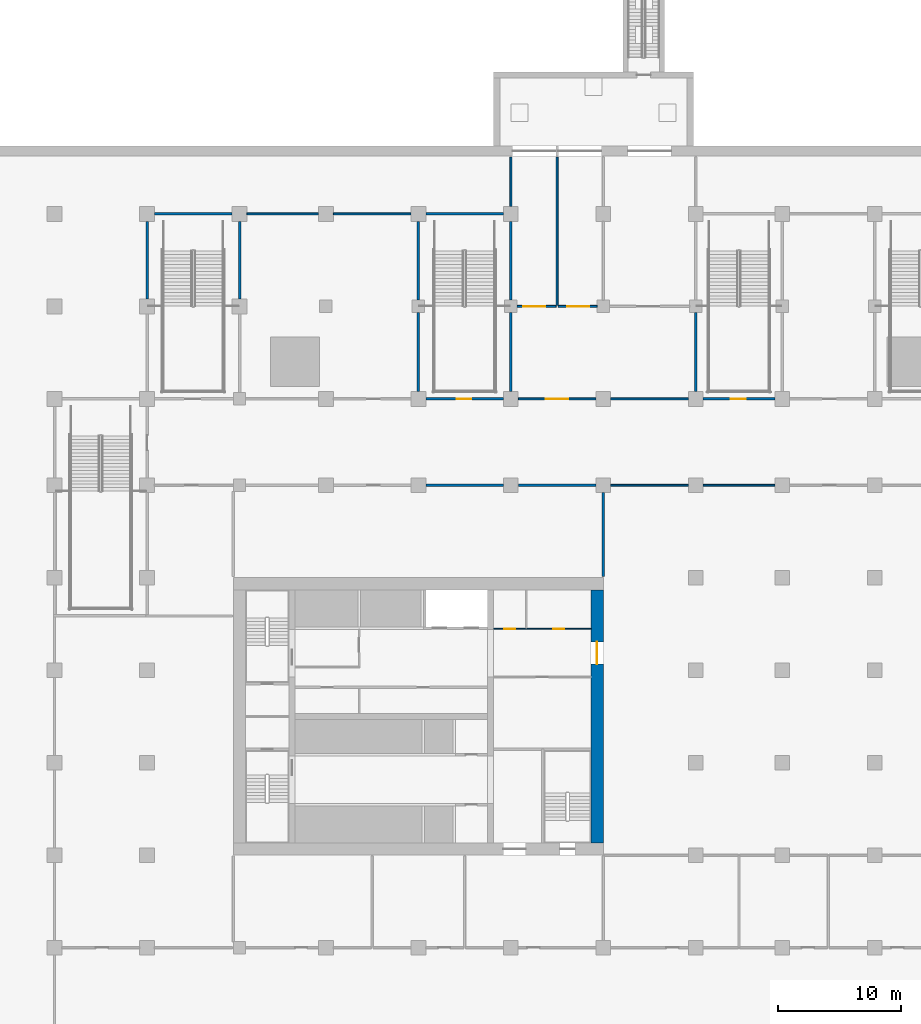
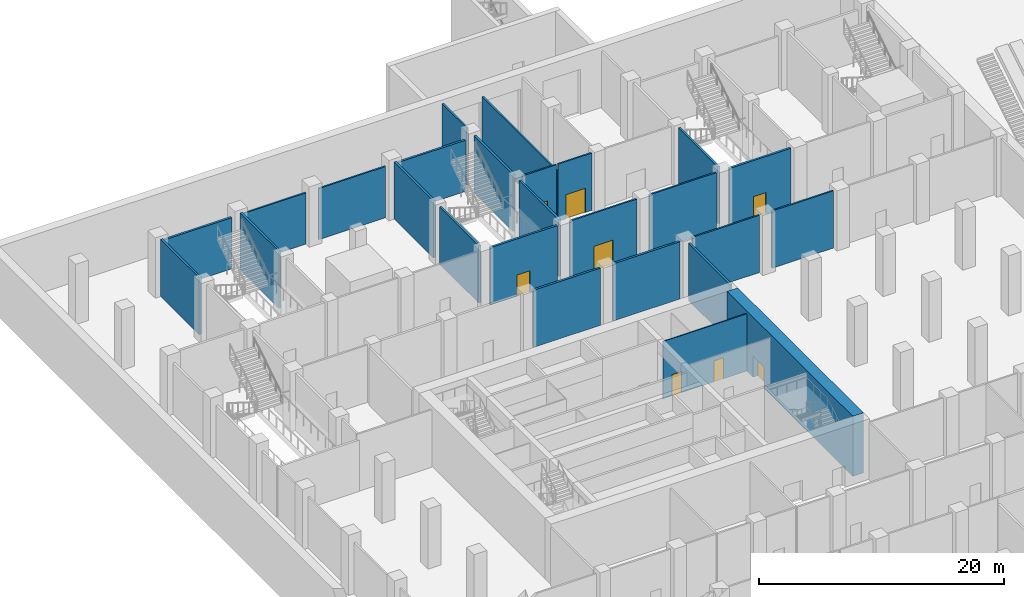
# One storey, part 10 of 45: 26 walls, 8 doors, 8 openings.
"""IFC4 building model written with IfcOpenShell, lengths in metres."""

from ifc_helpers import new_model, si_unit, direction, frame, frame_2d, origin, place, context, subcontext, project, spatial, rectangle, extrude, material, layer, layer_set, type_object, element, fill, save


model = new_model("IFC4")

# Units and contexts
model_context = context("Model", 3, precision=1e-05, world=origin(), true_north=direction((0.0, 1.0)))
body_context = subcontext(model_context, "Body", "Model", "MODEL_VIEW")
ifc_project = project(units=[si_unit("LENGTHUNIT", "METRE"), si_unit("AREAUNIT", "SQUARE_METRE"), si_unit("VOLUMEUNIT", "CUBIC_METRE"), si_unit("PLANEANGLEUNIT", "RADIAN"), si_unit("MASSUNIT", "GRAM", prefix="KILO")], contexts=[model_context])

# Site, building, storey
site_placement = place(None, origin())
site = spatial("IfcSite", under=ifc_project, at=site_placement, CompositionType="ELEMENT")
building_placement = place(site_placement, origin())
building = spatial("IfcBuilding", under=site, at=building_placement, Name="Tamorin Gate", CompositionType="ELEMENT")
storey_placement = place(building_placement, frame((0.0, 0.0, -6.0)))
storey = spatial("IfcBuildingStorey", under=building, at=storey_placement, Name="B1", CompositionType="ELEMENT", Elevation=-6.0)

# Walls
ifc_material_1 = material(Name="Concrete masonry C20/25", Category="masonry")
ifc_layer_1 = layer(ifc_material_1, 0.14990234375)
ifc_layer_set_1 = layer_set([ifc_layer_1], Name="Partition 150")
wall_type_1 = type_object("IfcWallType", Name="Partition 150", PredefinedType="PARTITIONING", material=ifc_layer_set_1)
wall_1_placement = place(storey_placement, frame((60.60009765625, 90.0, 0.0), z_axis=(0.0, 0.0, 1.0), x_axis=(1.0, 0.0, 0.0)))
element("IfcWall", 1, at=wall_1_placement, inside=storey, type_object=wall_type_1, Name="Partition 150 B1", PredefinedType="PARTITIONING", context=body_context, shape_type="SweptSolid", body=[
    extrude(rectangle(XDim=6.2998046875, YDim=0.14990234375, at=frame_2d((3.14990234375, 0.0))), origin(), (0.0, 0.0, 1.0), 5.699951171875),
])
wall_2_placement = place(storey_placement, frame((68.10009765625, 90.0, 0.0), z_axis=(0.0, 0.0, 1.0), x_axis=(1.0, 0.0, 0.0)))
element("IfcWall", 2, at=wall_2_placement, inside=storey, type_object=wall_type_1, Name="Partition 150 B1", PredefinedType="PARTITIONING", context=body_context, shape_type="SweptSolid", body=[
    extrude(rectangle(XDim=5.7998046875, YDim=0.14990234375, at=frame_2d((2.89990234375, 0.0))), origin(), (0.0, 0.0, 1.0), 5.699951171875),
])

# Wall, opening, door
wall_3_placement = place(storey_placement, frame((59.39990234375, 97.0, 0.0), z_axis=(0.0, 0.0, 1.0), x_axis=(-1.0, 0.0, 0.0)))
wall_3 = element("IfcWall", 3, at=wall_3_placement, inside=storey, type_object=wall_type_1, Name="Partition 150 B1", PredefinedType="PARTITIONING", context=body_context, shape_type="SweptSolid", body=[
    extrude(rectangle(XDim=6.2998046875, YDim=0.14990234375, at=frame_2d((3.14990234375, 0.0))), origin(), (0.0, 0.0, 1.0), 5.699951171875),
])
opening_1_placement = place(wall_3_placement, frame((2.25, 0.0, 0.0)))
opening_1 = element("IfcOpeningElement", 4, at=opening_1_placement, cuts=wall_3, Name="Opening DP3", PredefinedType="OPENING", context=body_context, shape_type="SweptSolid", body=[
    extrude(rectangle(XDim=1.800048828125, YDim=2.39990234375, at=frame_2d((0.89990234375, 1.199951171875))), frame((0.0, 0.0849609375, 0.0), z_axis=(0.0, -1.0, 0.0), x_axis=(1.0, 0.0, 0.0)), (0.0, 0.0, 1.0), 0.169921875),
])
ifc_material_2 = material(Name="Steel and glass", Category="steel")
door_type_1 = type_object("IfcDoorType", Name="Door pair 1800", OperationType="DOUBLE_DOOR_SINGLE_SWING", PredefinedType="DOOR", material=ifc_material_2)
door_1_placement = place(opening_1_placement, origin())
door_1 = element("IfcDoor", 5, at=door_1_placement, inside=storey, type_object=door_type_1, Name="Door pair 1800 B1", OperationType="SINGLE_SWING_LEFT", OverallHeight=2.39990234375, OverallWidth=1.800048828125, PredefinedType="DOOR", context=body_context, shape_type="SweptSolid", body=[
    extrude(rectangle(XDim=1.800048828125, YDim=2.39990234375, at=frame_2d((0.89990234375, 1.199951171875))), frame((0.0, 0.02490234375, 0.0), z_axis=(0.0, -1.0, 0.0), x_axis=(1.0, 0.0, 0.0)), (0.0, 0.0, 1.0), 0.050048828125),
])
fill(opening_1, door_1)

# Walls
wall_4_placement = place(storey_placement, frame((60.60009765625, 97.0, 0.0), z_axis=(0.0, 0.0, 1.0), x_axis=(1.0, 0.0, 0.0)))
element("IfcWall", 6, at=wall_4_placement, inside=storey, type_object=wall_type_1, Name="Partition 150 B1", PredefinedType="PARTITIONING", context=body_context, shape_type="SweptSolid", body=[
    extrude(rectangle(XDim=6.2998046875, YDim=0.14990234375, at=frame_2d((3.14990234375, 0.0))), origin(), (0.0, 0.0, 1.0), 5.699951171875),
])
wall_5_placement = place(storey_placement, frame((31.10009765625, 112.0, 0.0), z_axis=(0.0, 0.0, 1.0), x_axis=(1.0, 0.0, 0.0)))
element("IfcWall", 7, at=wall_5_placement, inside=storey, type_object=wall_type_1, Name="Partition 150 B1", PredefinedType="PARTITIONING", context=body_context, shape_type="SweptSolid", body=[
    extrude(rectangle(XDim=5.7998046875, YDim=0.14990234375, at=frame_2d((2.89990234375, 0.0))), origin(), (0.0, 0.0, 1.0), 5.10009765625),
])
wall_6_placement = place(storey_placement, frame((38.10009765625, 112.0, 0.0), z_axis=(0.0, 0.0, 1.0), x_axis=(1.0, 0.0, 0.0)))
element("IfcWall", 8, at=wall_6_placement, inside=storey, type_object=wall_type_1, Name="Partition 150 B1", PredefinedType="PARTITIONING", context=body_context, shape_type="SweptSolid", body=[
    extrude(rectangle(XDim=6.2998046875, YDim=0.14990234375, at=frame_2d((3.14990234375, 0.0))), origin(), (0.0, 0.0, 1.0), 5.10009765625),
])

# Wall, opening, door
wall_7_placement = place(storey_placement, frame((56.175048828125, 104.5, 0.0), z_axis=(0.0, 0.0, 1.0), x_axis=(-1.0, 0.0, 0.0)))
wall_7 = element("IfcWall", 9, at=wall_7_placement, inside=storey, type_object=wall_type_1, Name="Partition 150 B1", PredefinedType="PARTITIONING", context=body_context, shape_type="SweptSolid", body=[
    extrude(rectangle(XDim=3.175048828125, YDim=0.14990234375, at=frame_2d((1.58740234375, 0.0))), origin(), (0.0, 0.0, 1.0), 5.699951171875),
])
opening_2_placement = place(wall_7_placement, frame((0.875, 0.0, 0.0)))
opening_2 = element("IfcOpeningElement", 10, at=opening_2_placement, cuts=wall_7, Name="Opening DP3", PredefinedType="OPENING", context=body_context, shape_type="SweptSolid", body=[
    extrude(rectangle(XDim=1.800048828125, YDim=2.39990234375, at=frame_2d((0.89990234375, 1.199951171875))), frame((0.0, 0.0849609375, 0.0), z_axis=(0.0, -1.0, 0.0), x_axis=(1.0, 0.0, 0.0)), (0.0, 0.0, 1.0), 0.169921875),
])
door_2_placement = place(opening_2_placement, origin())
door_2 = element("IfcDoor", 11, at=door_2_placement, inside=storey, type_object=door_type_1, Name="Door pair 1800 B1", OperationType="SINGLE_SWING_LEFT", OverallHeight=2.39990234375, OverallWidth=1.800048828125, PredefinedType="DOOR", context=body_context, shape_type="SweptSolid", body=[
    extrude(rectangle(XDim=1.800048828125, YDim=2.39990234375, at=frame_2d((0.89990234375, 1.199951171875))), frame((0.0, 0.02490234375, 0.0), z_axis=(0.0, -1.0, 0.0), x_axis=(1.0, 0.0, 0.0)), (0.0, 0.0, 1.0), 0.050048828125),
])
fill(opening_2, door_2)

wall_8_placement = place(storey_placement, frame((59.5, 104.5, 0.0), z_axis=(0.0, 0.0, 1.0), x_axis=(-1.0, 0.0, 0.0)))
wall_8 = element("IfcWall", 12, at=wall_8_placement, inside=storey, type_object=wall_type_1, Name="Partition 150 B1", PredefinedType="PARTITIONING", context=body_context, shape_type="SweptSolid", body=[
    extrude(rectangle(XDim=3.175048828125, YDim=0.14990234375, at=frame_2d((1.58740234375, 0.0))), origin(), (0.0, 0.0, 1.0), 5.699951171875),
])
opening_3_placement = place(wall_8_placement, frame((0.625, 0.0, 0.0)))
opening_3 = element("IfcOpeningElement", 13, at=opening_3_placement, cuts=wall_8, Name="Opening DP3", PredefinedType="OPENING", context=body_context, shape_type="SweptSolid", body=[
    extrude(rectangle(XDim=1.800048828125, YDim=2.39990234375, at=frame_2d((0.89990234375, 1.199951171875))), frame((0.0, 0.0849609375, 0.0), z_axis=(0.0, -1.0, 0.0), x_axis=(1.0, 0.0, 0.0)), (0.0, 0.0, 1.0), 0.169921875),
])
door_3_placement = place(opening_3_placement, origin())
door_3 = element("IfcDoor", 14, at=door_3_placement, inside=storey, type_object=door_type_1, Name="Door pair 1800 B1", OperationType="SINGLE_SWING_LEFT", OverallHeight=2.39990234375, OverallWidth=1.800048828125, PredefinedType="DOOR", context=body_context, shape_type="SweptSolid", body=[
    extrude(rectangle(XDim=1.800048828125, YDim=2.39990234375, at=frame_2d((0.89990234375, 1.199951171875))), frame((0.0, 0.02490234375, 0.0), z_axis=(0.0, -1.0, 0.0), x_axis=(1.0, 0.0, 0.0)), (0.0, 0.0, 1.0), 0.050048828125),
])
fill(opening_3, door_3)

# Walls
wall_9_placement = place(storey_placement, frame((52.5, 112.60009765625, 0.0), z_axis=(0.0, 0.0, 1.0), x_axis=(0.0, 1.0, 0.0)))
element("IfcWall", 15, at=wall_9_placement, inside=storey, type_object=wall_type_1, Name="Partition 150 B1", PredefinedType="PARTITIONING", context=body_context, shape_type="SweptSolid", body=[
    extrude(rectangle(XDim=4.0, YDim=0.14990234375, at=frame_2d((2.0, 0.0))), origin(), (0.0, 0.0, 1.0), 5.699951171875),
])
wall_10_placement = place(storey_placement, frame((56.25, 104.574951171875, 0.0), z_axis=(0.0, 0.0, 1.0), x_axis=(0.0, 1.0, 0.0)))
element("IfcWall", 16, at=wall_10_placement, inside=storey, type_object=wall_type_1, Name="Partition 150 B1", PredefinedType="PARTITIONING", context=body_context, shape_type="SweptSolid", body=[
    extrude(rectangle(XDim=12.025146484375, YDim=0.14990234375, at=frame_2d((6.0126953125, 0.0))), origin(), (0.0, 0.0, 1.0), 5.10009765625),
])
ifc_layer_2 = layer(ifc_material_1, 0.199951171875)
ifc_layer_set_2 = layer_set([ifc_layer_2], Name="Plant room wall 200")
wall_type_2 = type_object("IfcWallType", Name="Plant room wall 200", PredefinedType="PARTITIONING", material=ifc_layer_set_2)
for number, where, z_axis, x_axis, name in (
    (17, (45.60009765625, 90.0, 0.0), (0.0, 0.0, 1.0), (1.0, 0.0, 0.0), "Plant room wall 200 B1"),
    (18, (53.10009765625, 90.0, 0.0), (0.0, 0.0, 1.0), (1.0, 0.0, 0.0), "Plant room wall 200 B1"),
):
    element("IfcWall", number, at=place(storey_placement, frame(where, z_axis=z_axis, x_axis=x_axis)), inside=storey, type_object=wall_type_2, Name=name, PredefinedType="PARTITIONING", context=body_context, shape_type="SweptSolid", body=[
        extrude(rectangle(XDim=6.2998046875, YDim=0.199951171875, at=frame_2d((3.14990234375, 0.0))), origin(), (0.0, 0.0, 1.0), 5.699951171875),
    ])
wall_11_placement = place(storey_placement, frame((60.0, 82.60009765625, 0.0), z_axis=(0.0, 0.0, 1.0), x_axis=(0.0, 1.0, 0.0)))
element("IfcWall", 19, at=wall_11_placement, inside=storey, type_object=wall_type_2, Name="Plant room wall 200 B1", PredefinedType="PARTITIONING", context=body_context, shape_type="SweptSolid", body=[
    extrude(rectangle(XDim=6.7998046875, YDim=0.199951171875, at=frame_2d((3.39990234375, 0.0))), origin(), (0.0, 0.0, 1.0), 5.699951171875),
])

# Wall, opening, door
ifc_material_3 = material(Name="Concrete C80/95", Category="concrete")
ifc_layer_3 = layer(ifc_material_3, 1.0)
ifc_layer_set_3 = layer_set([ifc_layer_3], Name="RC core wall 1000 C80/95")
wall_type_3 = type_object("IfcWallType", Name="RC core wall 1000 C80/95", PredefinedType="SHEAR", material=ifc_layer_set_3)
wall_12_placement = place(storey_placement, frame((59.5, 61.0, 0.0), z_axis=(0.0, 0.0, 1.0), x_axis=(0.0, 1.0, 0.0)))
wall_12 = element("IfcWall", 20, at=wall_12_placement, inside=storey, type_object=wall_type_3, Name="Core wall B1", PredefinedType="SHEAR", context=body_context, shape_type="SweptSolid", body=[
    extrude(rectangle(XDim=20.5, YDim=1.0, at=frame_2d((10.25, 0.0))), origin(), (0.0, 0.0, 1.0), 6.0),
])
opening_4_placement = place(wall_12_placement, frame((14.5, 0.0, 0.0)))
opening_4 = element("IfcOpeningElement", 21, at=opening_4_placement, cuts=wall_12, Name="Opening DE1", PredefinedType="OPENING", context=body_context, shape_type="SweptSolid", body=[
    extrude(rectangle(XDim=1.800048828125, YDim=2.10009765625, at=frame_2d((0.89990234375, 1.050048828125))), frame((0.0, 0.510009765625, 0.0), z_axis=(0.0, -1.0, 0.0), x_axis=(1.0, 0.0, 0.0)), (0.0, 0.0, 1.0), 1.02001953125),
])
ifc_material_4 = material(Name="Steel fire door", Category="steel")
door_type_2 = type_object("IfcDoorType", Name="Lobby exit double door 1800 x 2100 EI 60", OperationType="DOUBLE_DOOR_SINGLE_SWING", PredefinedType="DOOR", material=ifc_material_4)
door_4_placement = place(opening_4_placement, origin())
door_4 = element("IfcDoor", 22, at=door_4_placement, inside=storey, type_object=door_type_2, Name="Lift lobby B exit door", OperationType="DOUBLE_DOOR_SINGLE_SWING", OverallHeight=2.10009765625, OverallWidth=1.800048828125, PredefinedType="DOOR", context=body_context, shape_type="SweptSolid", body=[
    extrude(rectangle(XDim=1.800048828125, YDim=2.10009765625, at=frame_2d((0.89990234375, 1.050048828125))), frame((0.0, 0.02490234375, 0.0), z_axis=(0.0, -1.0, 0.0), x_axis=(1.0, 0.0, 0.0)), (0.0, 0.0, 1.0), 0.050048828125),
])
fill(opening_4, door_4)

# Wall, openings, doors
ifc_material_5 = material(Name="Gypsum board partition")
ifc_layer_4 = layer(ifc_material_5, 0.10009765625)
ifc_layer_set_4 = layer_set([ifc_layer_4], Name="Service room partition 100 EI 60")
wall_type_4 = type_object("IfcWallType", Name="Service room partition 100 EI 60", PredefinedType="PARTITIONING", material=ifc_layer_set_4)
wall_13_placement = place(storey_placement, frame((51.10009765625, 78.35009765625, 0.0), z_axis=(0.0, 0.0, 1.0), x_axis=(1.0, 0.0, 0.0)))
wall_13 = element("IfcWall", 23, at=wall_13_placement, inside=storey, type_object=wall_type_4, Name="Service room wall", PredefinedType="PARTITIONING", context=body_context, shape_type="SweptSolid", body=[
    extrude(rectangle(XDim=7.89990234375, YDim=0.10009765625, at=frame_2d((3.949951171875, 0.0))), origin(), (0.0, 0.0, 1.0), 5.699951171875),
])
opening_5_placement = place(wall_13_placement, frame((0.875, 0.0, 0.0)))
opening_5 = element("IfcOpeningElement", 24, at=opening_5_placement, cuts=wall_13, Name="Opening DK1", PredefinedType="OPENING", context=body_context, shape_type="SweptSolid", body=[
    extrude(rectangle(XDim=0.89990234375, YDim=2.10009765625, at=frame_2d((0.449951171875, 1.050048828125))), frame((0.0, 0.06005859375, 0.0), z_axis=(0.0, -1.0, 0.0), x_axis=(1.0, 0.0, 0.0)), (0.0, 0.0, 1.0), 0.1201171875),
])
opening_6_placement = place(wall_13_placement, frame((4.824951171875, 0.0, 0.0)))
opening_6 = element("IfcOpeningElement", 25, at=opening_6_placement, cuts=wall_13, Name="Opening DK1", PredefinedType="OPENING", context=body_context, shape_type="SweptSolid", body=[
    extrude(rectangle(XDim=0.89990234375, YDim=2.10009765625, at=frame_2d((0.449951171875, 1.050048828125))), frame((0.0, 0.06005859375, 0.0), z_axis=(0.0, -1.0, 0.0), x_axis=(1.0, 0.0, 0.0)), (0.0, 0.0, 1.0), 0.1201171875),
])
ifc_material_6 = material(Name="Timber fire door", Category="wood")
door_type_3 = type_object("IfcDoorType", Name="Service room door 900 x 2100 EI 60", OperationType="SINGLE_SWING_LEFT", PredefinedType="DOOR", material=ifc_material_6)
door_5_placement = place(opening_5_placement, origin())
door_5 = element("IfcDoor", 26, at=door_5_placement, inside=storey, type_object=door_type_3, Name="Door Pump room", OperationType="SINGLE_SWING_LEFT", OverallHeight=2.10009765625, OverallWidth=0.89990234375, PredefinedType="DOOR", context=body_context, shape_type="SweptSolid", body=[
    extrude(rectangle(XDim=0.89990234375, YDim=2.10009765625, at=frame_2d((0.449951171875, 1.050048828125))), frame((0.0, 0.02490234375, 0.0), z_axis=(0.0, -1.0, 0.0), x_axis=(1.0, 0.0, 0.0)), (0.0, 0.0, 1.0), 0.050048828125),
])
fill(opening_5, door_5)
door_6_placement = place(opening_6_placement, origin())
door_6 = element("IfcDoor", 27, at=door_6_placement, inside=storey, type_object=door_type_3, Name="Door Security store", OperationType="SINGLE_SWING_RIGHT", OverallHeight=2.10009765625, OverallWidth=0.89990234375, PredefinedType="DOOR", context=body_context, shape_type="SweptSolid", body=[
    extrude(rectangle(XDim=0.89990234375, YDim=2.10009765625, at=frame_2d((0.449951171875, 1.050048828125))), frame((0.0, 0.02490234375, 0.0), z_axis=(0.0, -1.0, 0.0), x_axis=(1.0, 0.0, 0.0)), (0.0, 0.0, 1.0), 0.050048828125),
])
fill(opening_6, door_6)

# Wall, opening, door
ifc_material_7 = material(Name="Concrete C40/50", Category="concrete")
ifc_layer_5 = layer(ifc_material_7, 0.199951171875)
ifc_layer_set_5 = layer_set([ifc_layer_5], Name="Stair enclosure 200")
wall_type_5 = type_object("IfcWallType", Name="Stair enclosure 200", PredefinedType="SHEAR", material=ifc_layer_set_5)
wall_14_placement = place(storey_placement, frame((45.60009765625, 97.0, 0.0), z_axis=(0.0, 0.0, 1.0), x_axis=(1.0, 0.0, 0.0)))
wall_14 = element("IfcWall", 28, at=wall_14_placement, inside=storey, type_object=wall_type_5, Name="Stair enclosure 200 B1", PredefinedType="SHEAR", context=body_context, shape_type="SweptSolid", body=[
    extrude(rectangle(XDim=6.2998046875, YDim=0.199951171875, at=frame_2d((3.14990234375, 0.0))), origin(), (0.0, 0.0, 1.0), 5.699951171875),
])
opening_7_placement = place(wall_14_placement, frame((2.5, 0.0, 0.0)))
opening_7 = element("IfcOpeningElement", 29, at=opening_7_placement, cuts=wall_14, Name="Opening DP5", PredefinedType="OPENING", context=body_context, shape_type="SweptSolid", body=[
    extrude(rectangle(XDim=1.199951171875, YDim=2.10009765625, at=frame_2d((0.60009765625, 1.050048828125))), frame((0.0, 0.10986328125, 0.0), z_axis=(0.0, -1.0, 0.0), x_axis=(1.0, 0.0, 0.0)), (0.0, 0.0, 1.0), 0.219970703125),
])
ifc_material_8 = material(Name="Painted steel", Category="steel")
door_type_4 = type_object("IfcDoorType", Name="Stair door 1200", OperationType="SINGLE_SWING_LEFT", PredefinedType="DOOR", material=ifc_material_8)
door_7_placement = place(opening_7_placement, origin())
door_7 = element("IfcDoor", 30, at=door_7_placement, inside=storey, type_object=door_type_4, Name="Stair door 1200 B1", OperationType="SINGLE_SWING_LEFT", OverallHeight=2.10009765625, OverallWidth=1.199951171875, PredefinedType="DOOR", context=body_context, shape_type="SweptSolid", body=[
    extrude(rectangle(XDim=1.199951171875, YDim=2.10009765625, at=frame_2d((0.60009765625, 1.050048828125))), frame((0.0, 0.02490234375, 0.0), z_axis=(0.0, -1.0, 0.0), x_axis=(1.0, 0.0, 0.0)), (0.0, 0.0, 1.0), 0.050048828125),
])
fill(opening_7, door_7)

wall_15_placement = place(storey_placement, frame((68.10009765625, 97.0, 0.0), z_axis=(0.0, 0.0, 1.0), x_axis=(1.0, 0.0, 0.0)))
wall_15 = element("IfcWall", 31, at=wall_15_placement, inside=storey, type_object=wall_type_5, Name="Stair enclosure 200 B1", PredefinedType="SHEAR", context=body_context, shape_type="SweptSolid", body=[
    extrude(rectangle(XDim=5.7998046875, YDim=0.199951171875, at=frame_2d((2.89990234375, 0.0))), origin(), (0.0, 0.0, 1.0), 5.699951171875),
])
opening_8_placement = place(wall_15_placement, frame((2.25, 0.0, 0.0)))
opening_8 = element("IfcOpeningElement", 32, at=opening_8_placement, cuts=wall_15, Name="Opening DP5", PredefinedType="OPENING", context=body_context, shape_type="SweptSolid", body=[
    extrude(rectangle(XDim=1.199951171875, YDim=2.10009765625, at=frame_2d((0.60009765625, 1.050048828125))), frame((0.0, 0.10986328125, 0.0), z_axis=(0.0, -1.0, 0.0), x_axis=(1.0, 0.0, 0.0)), (0.0, 0.0, 1.0), 0.219970703125),
])
door_8_placement = place(opening_8_placement, origin())
door_8 = element("IfcDoor", 33, at=door_8_placement, inside=storey, type_object=door_type_4, Name="Stair door 1200 B1", OperationType="SINGLE_SWING_LEFT", OverallHeight=2.10009765625, OverallWidth=1.199951171875, PredefinedType="DOOR", context=body_context, shape_type="SweptSolid", body=[
    extrude(rectangle(XDim=1.199951171875, YDim=2.10009765625, at=frame_2d((0.60009765625, 1.050048828125))), frame((0.0, 0.02490234375, 0.0), z_axis=(0.0, -1.0, 0.0), x_axis=(1.0, 0.0, 0.0)), (0.0, 0.0, 1.0), 0.050048828125),
])
fill(opening_8, door_8)

# Walls
for number, where, z_axis, x_axis, name in (
    (34, (23.60009765625, 112.0, 0.0), (0.0, 0.0, 1.0), (1.0, 0.0, 0.0), "Stair enclosure 200 B1"),
    (35, (45.60009765625, 112.0, 0.0), (0.0, 0.0, 1.0), (1.0, 0.0, 0.0), "Stair enclosure 200 B1"),
):
    element("IfcWall", number, at=place(storey_placement, frame(where, z_axis=z_axis, x_axis=x_axis)), inside=storey, type_object=wall_type_5, Name=name, PredefinedType="SHEAR", context=body_context, shape_type="SweptSolid", body=[
        extrude(rectangle(XDim=6.2998046875, YDim=0.199951171875, at=frame_2d((3.14990234375, 0.0))), origin(), (0.0, 0.0, 1.0), 5.10009765625),
    ])
for number, where, z_axis, x_axis, name in (
    (36, (23.0, 105.10009765625, 0.0), (0.0, 0.0, 1.0), (0.0, 1.0, 0.0), "Stair enclosure 200 B1"),
    (37, (30.5, 105.10009765625, 0.0), (0.0, 0.0, 1.0), (0.0, 1.0, 0.0), "Stair enclosure 200 B1"),
):
    element("IfcWall", number, at=place(storey_placement, frame(where, z_axis=z_axis, x_axis=x_axis)), inside=storey, type_object=wall_type_5, Name=name, PredefinedType="SHEAR", context=body_context, shape_type="SweptSolid", body=[
        extrude(rectangle(XDim=6.2998046875, YDim=0.199951171875, at=frame_2d((3.14990234375, 0.0))), origin(), (0.0, 0.0, 1.0), 5.699951171875),
    ])
for number, where, z_axis, x_axis, name in (
    (38, (45.0, 97.60009765625, 0.0), (0.0, 0.0, 1.0), (0.0, 1.0, 0.0), "Stair enclosure 200 B1"),
    (39, (45.0, 105.0, 0.0), (0.0, 0.0, 1.0), (0.0, 1.0, 0.0), "Stair enclosure 200 B1"),
    (40, (52.5, 97.60009765625, 0.0), (0.0, 0.0, 1.0), (0.0, 1.0, 0.0), "Stair enclosure 200 B1"),
    (41, (52.5, 105.0, 0.0), (0.0, 0.0, 1.0), (0.0, 1.0, 0.0), "Stair enclosure 200 B1"),
    (42, (67.5, 97.60009765625, 0.0), (0.0, 0.0, 1.0), (0.0, 1.0, 0.0), "Stair enclosure 200 B1"),
):
    element("IfcWall", number, at=place(storey_placement, frame(where, z_axis=z_axis, x_axis=x_axis)), inside=storey, type_object=wall_type_5, Name=name, PredefinedType="SHEAR", context=body_context, shape_type="SweptSolid", body=[
        extrude(rectangle(XDim=6.39990234375, YDim=0.199951171875, at=frame_2d((3.199951171875, 0.0))), origin(), (0.0, 0.0, 1.0), 5.699951171875),
    ])

save(model, "model.ifc")
